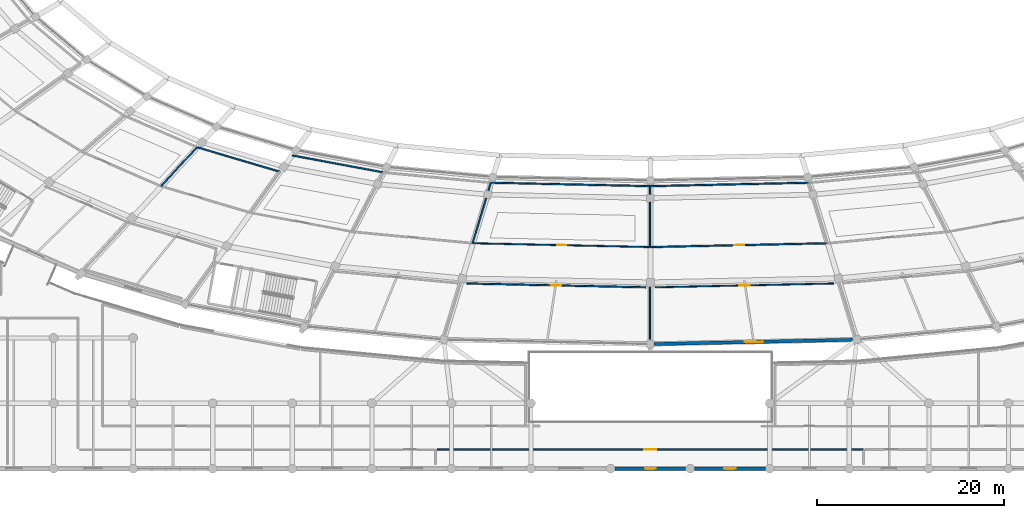
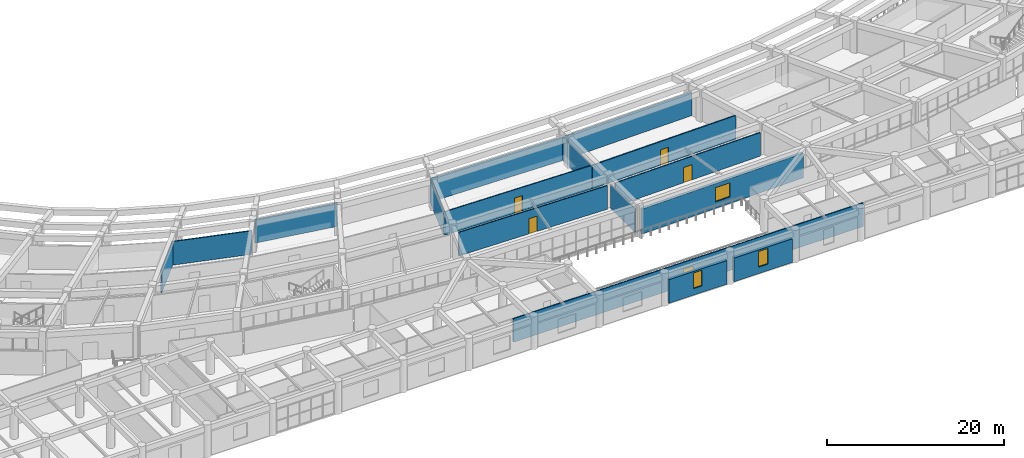
# One storey, part 96 of 145: 16 walls, 5 doors, 3 windows, 8 openings.
"""IFC4 building model written with IfcOpenShell, lengths in metres."""

from ifc_helpers import new_model, si_unit, direction, frame, frame_2d, origin, place, context, subcontext, project, spatial, rectangle, extrude, material, layer, layer_set, type_object, element, fill, save


model = new_model("IFC4")

# Units and contexts
model_context = context("Model", 3, precision=1e-05, world=origin(), true_north=direction((0.0, 1.0)))
body_context = subcontext(model_context, "Body", "Model", "MODEL_VIEW")
ifc_project = project(units=[si_unit("LENGTHUNIT", "METRE"), si_unit("AREAUNIT", "SQUARE_METRE"), si_unit("VOLUMEUNIT", "CUBIC_METRE"), si_unit("PLANEANGLEUNIT", "RADIAN"), si_unit("MASSUNIT", "GRAM", prefix="KILO")], contexts=[model_context])

# Site, building, storey
site_placement = place(None, origin())
site = spatial("IfcSite", under=ifc_project, at=site_placement, CompositionType="ELEMENT")
building_placement = place(site_placement, origin())
building = spatial("IfcBuilding", under=site, at=building_placement, Name="Mphavela Belvedere Stadium", CompositionType="ELEMENT")
storey_placement = place(building_placement, frame((0.0, 0.0, 10.199951171875)))
storey = spatial("IfcBuildingStorey", under=building, at=storey_placement, Name="L02", CompositionType="ELEMENT", Elevation=10.199951171875)

# Wall, opening, window
ifc_material_1 = material(Name="Honed ashlar limestone masonry", Category="masonry")
ifc_layer_1 = layer(ifc_material_1, 0.35009765625)
ifc_layer_set_1 = layer_set([ifc_layer_1], Name="Honed ashlar limestone masonry")
wall_type_1 = type_object("IfcWallType", Name="WAL-EXT-ASHLAR-350", PredefinedType="STANDARD", material=ifc_layer_set_1)
wall_1_placement = place(storey_placement, frame((115.39794921875, 13.338623046875, 0.0), z_axis=(0.0, 0.0, 1.0), x_axis=(0.999768320606, 0.021524523519, 0.0)))
wall_1 = element("IfcWall", 1, at=wall_1_placement, inside=storey, type_object=wall_type_1, Name="Classical ashlar facade wall L02-37", PredefinedType="STANDARD", context=body_context, shape_type="SweptSolid", body=[
    extrude(rectangle(XDim=21.32373046875, YDim=0.35009765625, at=frame_2d((10.661865234375, 0.0))), origin(), (0.0, 0.0, 1.0), 3.420166015625),
])
opening_1_placement = place(wall_1_placement, frame((9.69189453125, 0.0, 0.89990234375)))
opening_1 = element("IfcOpeningElement", 2, at=opening_1_placement, cuts=wall_1, Name="Opening W-029", PredefinedType="OPENING", context=body_context, shape_type="SweptSolid", body=[
    extrude(rectangle(XDim=1.93994140625, YDim=1.949951171875, at=frame_2d((0.969970703125, 0.97509765625))), frame((0.0, 0.18505859375, 0.0), z_axis=(0.0, -1.0, 0.0), x_axis=(1.0, 0.0, 0.0)), (0.0, 0.0, 1.0), 0.3701171875),
])
ifc_material_2 = material(Name="Bronze-anodised thermally broken aluminium window", Category="aluminium")
window_type_1 = type_object("IfcWindowType", Name="WIN-EXT-29", PartitioningType="SINGLE_PANEL", PredefinedType="WINDOW", material=ifc_material_2)
window_1_placement = place(opening_1_placement, origin())
window_1 = element("IfcWindow", 3, at=window_1_placement, inside=storey, type_object=window_type_1, Name="Belvedere gallery window W-029", OverallHeight=1.949951171875, OverallWidth=1.93994140625, PartitioningType="SINGLE_PANEL", PredefinedType="WINDOW", context=body_context, shape_type="SweptSolid", body=[
    extrude(rectangle(XDim=1.93994140625, YDim=1.949951171875, at=frame_2d((0.969970703125, 0.97509765625))), frame((0.0, 0.030029296875, 0.0), z_axis=(0.0, -1.0, 0.0), x_axis=(1.0, 0.0, 0.0)), (0.0, 0.0, 1.0), 0.06005859375),
])
fill(opening_1, window_1)

wall_2_placement = place(storey_placement, frame((118.785888671875, 0.0, 0.0), z_axis=(0.0, 0.0, 1.0), x_axis=(-1.0, 0.0, 0.0)))
wall_2 = element("IfcWall", 4, at=wall_2_placement, inside=storey, type_object=wall_type_1, Name="South Axial Triumphal Peristyle Portico outer facade bay L02-14", PredefinedType="STANDARD", context=body_context, shape_type="SweptSolid", body=[
    extrude(rectangle(XDim=7.57177734375, YDim=0.35009765625, at=frame_2d((3.785888671875, 0.0))), origin(), (0.0, 0.0, 1.0), 3.260009765625),
])
opening_2_placement = place(wall_2_placement, frame((3.236083984375, 0.0, 0.89990234375)))
opening_2 = element("IfcOpeningElement", 5, at=opening_2_placement, cuts=wall_2, Name="Opening W-078", PredefinedType="OPENING", context=body_context, shape_type="SweptSolid", body=[
    extrude(rectangle(XDim=1.10009765625, YDim=2.14990234375, at=frame_2d((0.550048828125, 1.074951171875))), frame((0.0, 0.18505859375, 0.0), z_axis=(0.0, -1.0, 0.0), x_axis=(1.0, 0.0, 0.0)), (0.0, 0.0, 1.0), 0.3701171875),
])
ifc_material_3 = material(Name="Bronze-anodised thermally broken aluminium window", Category="aluminium")
window_type_2 = type_object("IfcWindowType", Name="WIN-EXT-34", PartitioningType="SINGLE_PANEL", PredefinedType="WINDOW", material=ifc_material_3)
window_2_placement = place(opening_2_placement, origin())
window_2 = element("IfcWindow", 6, at=window_2_placement, inside=storey, type_object=window_type_2, Name="South Axial Triumphal Peristyle Portico classical window W-078", OverallHeight=2.14990234375, OverallWidth=1.10009765625, PartitioningType="SINGLE_PANEL", PredefinedType="WINDOW", context=body_context, shape_type="SweptSolid", body=[
    extrude(rectangle(XDim=1.10009765625, YDim=2.14990234375, at=frame_2d((0.550048828125, 1.074951171875))), frame((0.0, 0.030029296875, 0.0), z_axis=(0.0, -1.0, 0.0), x_axis=(1.0, 0.0, 0.0)), (0.0, 0.0, 1.0), 0.06005859375),
])
fill(opening_2, window_2)

wall_3_placement = place(storey_placement, frame((127.304931640625, 0.0, 0.0), z_axis=(0.0, 0.0, 1.0), x_axis=(-1.0, 0.0, 0.0)))
wall_3 = element("IfcWall", 7, at=wall_3_placement, inside=storey, type_object=wall_type_1, Name="South Axial Triumphal Peristyle Portico outer facade bay L02-15", PredefinedType="STANDARD", context=body_context, shape_type="SweptSolid", body=[
    extrude(rectangle(XDim=7.572998046875, YDim=0.35009765625, at=frame_2d((3.78662109375, 0.0))), origin(), (0.0, 0.0, 1.0), 3.260009765625),
])
opening_3_placement = place(wall_3_placement, frame((3.16650390625, 0.0, 0.89990234375)))
opening_3 = element("IfcOpeningElement", 8, at=opening_3_placement, cuts=wall_3, Name="Opening W-079", PredefinedType="OPENING", context=body_context, shape_type="SweptSolid", body=[
    extrude(rectangle(XDim=1.239990234375, YDim=2.14990234375, at=frame_2d((0.6201171875, 1.074951171875))), frame((0.0, 0.18505859375, 0.0), z_axis=(0.0, -1.0, 0.0), x_axis=(1.0, 0.0, 0.0)), (0.0, 0.0, 1.0), 0.3701171875),
])
ifc_material_4 = material(Name="Bronze-anodised thermally broken aluminium window", Category="aluminium")
window_type_3 = type_object("IfcWindowType", Name="WIN-EXT-35", PartitioningType="SINGLE_PANEL", PredefinedType="WINDOW", material=ifc_material_4)
window_3_placement = place(opening_3_placement, origin())
window_3 = element("IfcWindow", 9, at=window_3_placement, inside=storey, type_object=window_type_3, Name="South Axial Triumphal Peristyle Portico classical window W-079", OverallHeight=2.14990234375, OverallWidth=1.239990234375, PartitioningType="SINGLE_PANEL", PredefinedType="WINDOW", context=body_context, shape_type="SweptSolid", body=[
    extrude(rectangle(XDim=1.239990234375, YDim=2.14990234375, at=frame_2d((0.6201171875, 1.074951171875))), frame((0.0, 0.030029296875, 0.0), z_axis=(0.0, -1.0, 0.0), x_axis=(1.0, 0.0, 0.0)), (0.0, 0.0, 1.0), 0.06005859375),
])
fill(opening_3, window_3)

# Wall, opening, door
ifc_material_5 = material(Name="Moisture-resistant sanitary partition assembly")
ifc_layer_2 = layer(ifc_material_5, 0.125)
ifc_layer_set_2 = layer_set([ifc_layer_2], Name="Moisture-resistant sanitary partition assembly")
wall_type_2 = type_object("IfcWallType", Name="WAL-PART-125", PredefinedType="PARTITIONING", material=ifc_layer_set_2)
wall_4_placement = place(storey_placement, frame((114.9599609375, 23.726318359375, 0.0), z_axis=(0.0, 0.0, 1.0), x_axis=(-0.999768266483, 0.021527037261, 0.0)))
wall_4 = element("IfcWall", 10, at=wall_4_placement, inside=storey, type_object=wall_type_2, Name="Room L02-125 corridor partition", PredefinedType="PARTITIONING", context=body_context, shape_type="SweptSolid", body=[
    extrude(rectangle(XDim=18.9169921875, YDim=0.125, at=frame_2d((9.45849609375, 0.0))), origin(), (0.0, 0.0, 1.0), 3.25),
])
opening_4_placement = place(wall_4_placement, frame((8.968505859375, 0.0, 0.0)))
opening_4 = element("IfcOpeningElement", 11, at=opening_4_placement, cuts=wall_4, Name="Opening ID-219", PredefinedType="OPENING", context=body_context, shape_type="SweptSolid", body=[
    extrude(rectangle(XDim=0.97998046875, YDim=2.10009765625, at=frame_2d((0.489990234375, 1.050048828125))), frame((0.0, 0.072509765625, 0.0), z_axis=(0.0, -1.0, 0.0), x_axis=(1.0, 0.0, 0.0)), (0.0, 0.0, 1.0), 0.14501953125),
])
ifc_material_6 = material(Name="Hardwood acoustic timber doorset", Category="wood")
door_type_1 = type_object("IfcDoorType", Name="DR-INT-03", OperationType="NOTDEFINED", PredefinedType="DOOR", material=ifc_material_6)
door_1_placement = place(opening_4_placement, origin())
door_1 = element("IfcDoor", 12, at=door_1_placement, inside=storey, type_object=door_type_1, Name="Room L02-125 entrance door ID-219", OperationType="SINGLE_SWING_LEFT", OverallHeight=2.10009765625, OverallWidth=0.97998046875, PredefinedType="DOOR", context=body_context, shape_type="SweptSolid", body=[
    extrude(rectangle(XDim=0.97998046875, YDim=2.10009765625, at=frame_2d((0.489990234375, 1.050048828125))), frame((0.0, 0.02490234375, 0.0), z_axis=(0.0, -1.0, 0.0), x_axis=(1.0, 0.0, 0.0)), (0.0, 0.0, 1.0), 0.050048828125),
])
fill(opening_4, door_1)

wall_5_placement = place(storey_placement, frame((115.51123046875, 19.4169921875, 0.0), z_axis=(0.0, 0.0, 1.0), x_axis=(0.999768107727, 0.021534409017, 0.0)))
wall_5 = element("IfcWall", 13, at=wall_5_placement, inside=storey, type_object=wall_type_2, Name="Room L02-129 corridor partition", PredefinedType="PARTITIONING", context=body_context, shape_type="SweptSolid", body=[
    extrude(rectangle(XDim=19.13720703125, YDim=0.125, at=frame_2d((9.568603515625, 0.0))), origin(), (0.0, 0.0, 1.0), 3.25),
])
opening_5_placement = place(wall_5_placement, frame((9.018798828125, 0.0, 0.0)))
opening_5 = element("IfcOpeningElement", 14, at=opening_5_placement, cuts=wall_5, Name="Opening ID-222", PredefinedType="OPENING", context=body_context, shape_type="SweptSolid", body=[
    extrude(rectangle(XDim=1.10009765625, YDim=2.10009765625, at=frame_2d((0.550048828125, 1.050048828125))), frame((0.0, 0.072509765625, 0.0), z_axis=(0.0, -1.0, 0.0), x_axis=(1.0, 0.0, 0.0)), (0.0, 0.0, 1.0), 0.14501953125),
])
ifc_material_7 = material(Name="Hardwood acoustic timber doorset", Category="wood")
door_type_2 = type_object("IfcDoorType", Name="DR-INT-06", OperationType="NOTDEFINED", PredefinedType="DOOR", material=ifc_material_7)
door_2_placement = place(opening_5_placement, origin())
door_2 = element("IfcDoor", 15, at=door_2_placement, inside=storey, type_object=door_type_2, Name="Room L02-129 entrance door ID-222", OperationType="SINGLE_SWING_RIGHT", OverallHeight=2.10009765625, OverallWidth=1.10009765625, PredefinedType="DOOR", context=body_context, shape_type="SweptSolid", body=[
    extrude(rectangle(XDim=1.10009765625, YDim=2.10009765625, at=frame_2d((0.550048828125, 1.050048828125))), frame((0.0, 0.02490234375, 0.0), z_axis=(0.0, -1.0, 0.0), x_axis=(1.0, 0.0, 0.0)), (0.0, 0.0, 1.0), 0.050048828125),
])
fill(opening_5, door_2)

ifc_material_8 = material(Name="Acoustic gypsum stud partition assembly")
ifc_layer_3 = layer(ifc_material_8, 0.14990234375)
ifc_layer_set_3 = layer_set([ifc_layer_3], Name="Acoustic gypsum stud partition assembly")
wall_type_3 = type_object("IfcWallType", Name="WAL-PART-150", PredefinedType="PARTITIONING", material=ifc_layer_set_3)
wall_6_placement = place(storey_placement, frame((95.35595703125, 19.8291015625, 0.0), z_axis=(0.0, 0.0, 1.0), x_axis=(0.999768107727, -0.021534409017, 0.0)))
wall_6 = element("IfcWall", 16, at=wall_6_placement, inside=storey, type_object=wall_type_3, Name="Room L02-126 corridor partition", PredefinedType="PARTITIONING", context=body_context, shape_type="SweptSolid", body=[
    extrude(rectangle(XDim=19.13720703125, YDim=0.14990234375, at=frame_2d((9.568603515625, 0.0))), origin(), (0.0, 0.0, 1.0), 3.25),
])
opening_6_placement = place(wall_6_placement, frame((9.05859375, 0.0, 0.0)))
opening_6 = element("IfcOpeningElement", 17, at=opening_6_placement, cuts=wall_6, Name="Opening ID-220", PredefinedType="OPENING", context=body_context, shape_type="SweptSolid", body=[
    extrude(rectangle(XDim=1.02001953125, YDim=2.10009765625, at=frame_2d((0.510009765625, 1.050048828125))), frame((0.0, 0.0849609375, 0.0), z_axis=(0.0, -1.0, 0.0), x_axis=(1.0, 0.0, 0.0)), (0.0, 0.0, 1.0), 0.169921875),
])
ifc_material_9 = material(Name="Hardwood acoustic timber doorset", Category="wood")
door_type_3 = type_object("IfcDoorType", Name="DR-INT-04", OperationType="NOTDEFINED", PredefinedType="DOOR", material=ifc_material_9)
door_3_placement = place(opening_6_placement, origin())
door_3 = element("IfcDoor", 18, at=door_3_placement, inside=storey, type_object=door_type_3, Name="Room L02-126 entrance door ID-220", OperationType="SINGLE_SWING_RIGHT", OverallHeight=2.10009765625, OverallWidth=1.02001953125, PredefinedType="DOOR", context=body_context, shape_type="SweptSolid", body=[
    extrude(rectangle(XDim=1.02001953125, YDim=2.10009765625, at=frame_2d((0.510009765625, 1.050048828125))), frame((0.0, 0.02490234375, 0.0), z_axis=(0.0, -1.0, 0.0), x_axis=(1.0, 0.0, 0.0)), (0.0, 0.0, 1.0), 0.050048828125),
])
fill(opening_6, door_3)

wall_7_placement = place(storey_placement, frame((133.95263671875, 24.133544921875, 0.0), z_axis=(0.0, 0.0, 1.0), x_axis=(-0.999768266483, -0.021527037261, 0.0)))
wall_7 = element("IfcWall", 19, at=wall_7_placement, inside=storey, type_object=wall_type_3, Name="Room L02-128 corridor partition", PredefinedType="PARTITIONING", context=body_context, shape_type="SweptSolid", body=[
    extrude(rectangle(XDim=18.9169921875, YDim=0.14990234375, at=frame_2d((9.45849609375, 0.0))), origin(), (0.0, 0.0, 1.0), 3.25),
])
opening_7_placement = place(wall_7_placement, frame((8.928466796875, 0.0, 0.0)))
opening_7 = element("IfcOpeningElement", 20, at=opening_7_placement, cuts=wall_7, Name="Opening ID-221", PredefinedType="OPENING", context=body_context, shape_type="SweptSolid", body=[
    extrude(rectangle(XDim=1.06005859375, YDim=2.10009765625, at=frame_2d((0.530029296875, 1.050048828125))), frame((0.0, 0.0849609375, 0.0), z_axis=(0.0, -1.0, 0.0), x_axis=(1.0, 0.0, 0.0)), (0.0, 0.0, 1.0), 0.169921875),
])
ifc_material_10 = material(Name="Hardwood acoustic timber doorset", Category="wood")
door_type_4 = type_object("IfcDoorType", Name="DR-INT-05", OperationType="NOTDEFINED", PredefinedType="DOOR", material=ifc_material_10)
door_4_placement = place(opening_7_placement, origin())
door_4 = element("IfcDoor", 21, at=door_4_placement, inside=storey, type_object=door_type_4, Name="Room L02-128 entrance door ID-221", OperationType="SINGLE_SWING_LEFT", OverallHeight=2.10009765625, OverallWidth=1.06005859375, PredefinedType="DOOR", context=body_context, shape_type="SweptSolid", body=[
    extrude(rectangle(XDim=1.06005859375, YDim=2.10009765625, at=frame_2d((0.530029296875, 1.050048828125))), frame((0.0, 0.02490234375, 0.0), z_axis=(0.0, -1.0, 0.0), x_axis=(1.0, 0.0, 0.0)), (0.0, 0.0, 1.0), 0.050048828125),
])
fill(opening_7, door_4)

wall_8_placement = place(storey_placement, frame((92.18994140625, 2.0400390625, 0.0), z_axis=(0.0, 0.0, 1.0), x_axis=(1.0, 0.0, 0.0)))
wall_8 = element("IfcWall", 22, at=wall_8_placement, inside=storey, type_object=wall_type_3, Name="Room L02-164 corridor partition", PredefinedType="PARTITIONING", context=body_context, shape_type="SweptSolid", body=[
    extrude(rectangle(XDim=45.6201171875, YDim=0.14990234375, at=frame_2d((22.81005859375, 0.0))), origin(), (0.0, 0.0, 1.0), 3.25),
])
opening_8_placement = place(wall_8_placement, frame((22.179931640625, 0.0, 0.0)))
opening_8 = element("IfcOpeningElement", 23, at=opening_8_placement, cuts=wall_8, Name="Opening ID-394", PredefinedType="OPENING", context=body_context, shape_type="SweptSolid", body=[
    extrude(rectangle(XDim=1.260009765625, YDim=2.300048828125, at=frame_2d((0.6298828125, 1.14990234375))), frame((0.0, 0.0849609375, 0.0), z_axis=(0.0, -1.0, 0.0), x_axis=(1.0, 0.0, 0.0)), (0.0, 0.0, 1.0), 0.169921875),
])
ifc_material_11 = material(Name="Hardwood acoustic timber doorset", Category="wood")
door_type_5 = type_object("IfcDoorType", Name="DR-INT-34", OperationType="NOTDEFINED", PredefinedType="DOOR", material=ifc_material_11)
door_5_placement = place(opening_8_placement, origin())
door_5 = element("IfcDoor", 24, at=door_5_placement, inside=storey, type_object=door_type_5, Name="Room L02-164 entrance door ID-394", OperationType="SINGLE_SWING_RIGHT", OverallHeight=2.300048828125, OverallWidth=1.260009765625, PredefinedType="DOOR", context=body_context, shape_type="SweptSolid", body=[
    extrude(rectangle(XDim=1.260009765625, YDim=2.300048828125, at=frame_2d((0.6298828125, 1.14990234375))), frame((0.0, 0.02490234375, 0.0), z_axis=(0.0, -1.0, 0.0), x_axis=(1.0, 0.0, 0.0)), (0.0, 0.0, 1.0), 0.050048828125),
])
fill(opening_8, door_5)

# Walls
wall_9_placement = place(storey_placement, frame((66.4697265625, 34.42431640625, 0.0), z_axis=(0.0, 0.0, 1.0), x_axis=(-0.677867773629, -0.735183841958, 0.0)))
element("IfcWall", 25, at=wall_9_placement, inside=storey, type_object=wall_type_3, Name="Room divider partition L02-0381", PredefinedType="PARTITIONING", context=body_context, shape_type="SweptSolid", body=[
    extrude(rectangle(XDim=5.68212890625, YDim=0.14990234375, at=frame_2d((2.841064453125, 0.0))), origin(), (0.0, 0.0, 1.0), 3.25),
])
wall_10_placement = place(storey_placement, frame((66.5498046875, 34.393310546875, 0.0), z_axis=(0.0, 0.0, 1.0), x_axis=(0.958661639872, -0.284548520005, 0.0)))
element("IfcWall", 26, at=wall_10_placement, inside=storey, type_object=wall_type_3, Name="Room divider partition L02-0383", PredefinedType="PARTITIONING", context=body_context, shape_type="SweptSolid", body=[
    extrude(rectangle(XDim=9.157470703125, YDim=0.14990234375, at=frame_2d((4.57861328125, 0.0))), origin(), (0.0, 0.0, 1.0), 3.25),
])
wall_11_placement = place(storey_placement, frame((76.68017578125, 33.533447265625, 0.0), z_axis=(0.0, 0.0, 1.0), x_axis=(0.98309647403, -0.183088292225, 0.0)))
element("IfcWall", 27, at=wall_11_placement, inside=storey, type_object=wall_type_3, Name="Room divider partition L02-0388", PredefinedType="PARTITIONING", context=body_context, shape_type="SweptSolid", body=[
    extrude(rectangle(XDim=9.8876953125, YDim=0.14990234375, at=frame_2d((4.94384765625, 0.0))), origin(), (0.0, 0.0, 1.0), 3.25),
])
wall_12_placement = place(storey_placement, frame((97.923583984375, 30.619384765625, 0.0), z_axis=(0.0, 0.0, 1.0), x_axis=(-0.289242753829, -0.95725578053, 0.0)))
element("IfcWall", 28, at=wall_12_placement, inside=storey, type_object=wall_type_3, Name="Room divider partition L02-0391", PredefinedType="PARTITIONING", context=body_context, shape_type="SweptSolid", body=[
    extrude(rectangle(XDim=6.77099609375, YDim=0.14990234375, at=frame_2d((3.385498046875, 0.0))), origin(), (0.0, 0.0, 1.0), 3.25),
])
wall_13_placement = place(storey_placement, frame((98.00537109375, 30.614013671875, 0.0), z_axis=(0.0, 0.0, 1.0), x_axis=(0.99976805362, -0.021536920891, 0.0)))
element("IfcWall", 29, at=wall_13_placement, inside=storey, type_object=wall_type_3, Name="Room divider partition L02-0394", PredefinedType="PARTITIONING", context=body_context, shape_type="SweptSolid", body=[
    extrude(rectangle(XDim=16.95849609375, YDim=0.14990234375, at=frame_2d((8.479248046875, 0.0))), origin(), (0.0, 0.0, 1.0), 3.25),
])
wall_14_placement = place(storey_placement, frame((114.9599609375, 30.248779296875, 0.0), z_axis=(0.0, 0.0, 1.0), x_axis=(0.0, -1.0, 0.0)))
element("IfcWall", 30, at=wall_14_placement, inside=storey, type_object=wall_type_3, Name="Room divider partition L02-0395", PredefinedType="PARTITIONING", context=body_context, shape_type="SweptSolid", body=[
    extrude(rectangle(XDim=6.5224609375, YDim=0.14990234375, at=frame_2d((3.26123046875, 0.0))), origin(), (0.0, 0.0, 1.0), 3.25),
])
wall_15_placement = place(storey_placement, frame((114.9599609375, 19.406982421875, 0.0), z_axis=(0.0, 0.0, 1.0), x_axis=(0.0, -1.0, 0.0)))
element("IfcWall", 31, at=wall_15_placement, inside=storey, type_object=wall_type_3, Name="Room divider partition L02-0396", PredefinedType="PARTITIONING", context=body_context, shape_type="SweptSolid", body=[
    extrude(rectangle(XDim=5.576904296875, YDim=0.14990234375, at=frame_2d((2.78857421875, 0.0))), origin(), (0.0, 0.0, 1.0), 3.25),
])
wall_16_placement = place(storey_placement, frame((115.0400390625, 30.248779296875, 0.0), z_axis=(0.0, 0.0, 1.0), x_axis=(0.99976805362, 0.021536920891, 0.0)))
element("IfcWall", 32, at=wall_16_placement, inside=storey, type_object=wall_type_3, Name="Room divider partition L02-0397", PredefinedType="PARTITIONING", context=body_context, shape_type="SweptSolid", body=[
    extrude(rectangle(XDim=16.95849609375, YDim=0.14990234375, at=frame_2d((8.479248046875, 0.0))), origin(), (0.0, 0.0, 1.0), 3.25),
])

save(model, "model.ifc")
